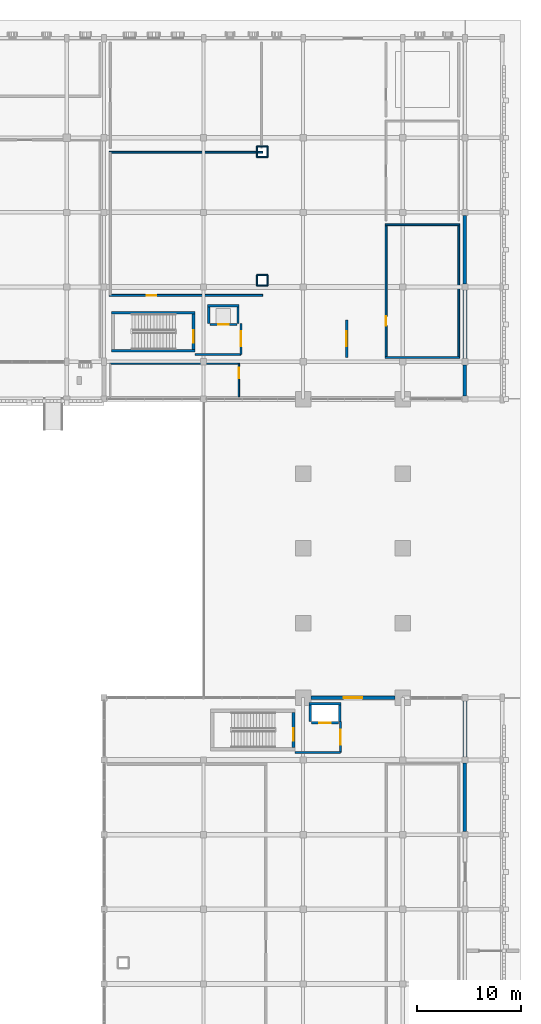
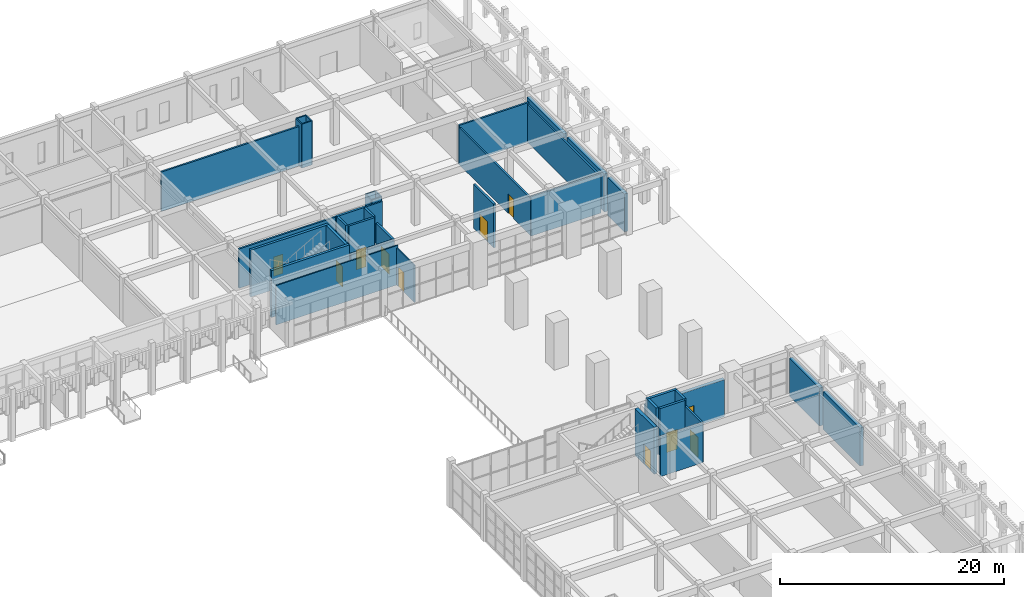
# One storey, part 43 of 72: 39 walls, 11 doors, 11 openings.
"""IFC4 building model written with IfcOpenShell, lengths in metres."""

from ifc_helpers import new_model, si_unit, direction, frame, frame_2d, origin, place, context, subcontext, project, spatial, rectangle, extrude, material, layer, layer_set, type_object, element, fill, save


model = new_model("IFC4")

# Units and contexts
model_context = context("Model", 3, precision=1e-05, world=origin(), true_north=direction((0.0, 1.0)))
body_context = subcontext(model_context, "Body", "Model", "MODEL_VIEW")
ifc_project = project(units=[si_unit("LENGTHUNIT", "METRE"), si_unit("AREAUNIT", "SQUARE_METRE"), si_unit("VOLUMEUNIT", "CUBIC_METRE"), si_unit("PLANEANGLEUNIT", "RADIAN"), si_unit("MASSUNIT", "GRAM", prefix="KILO")], contexts=[model_context])

# Site, building, storey
site_placement = place(None, origin())
site = spatial("IfcSite", under=ifc_project, at=site_placement, CompositionType="ELEMENT")
building_placement = place(site_placement, origin())
building = spatial("IfcBuilding", under=site, at=building_placement, Name="Nzembalo Square Collegiate School", CompositionType="ELEMENT")
storey_placement = place(building_placement, origin())
storey = spatial("IfcBuildingStorey", under=building, at=storey_placement, Name="L00", CompositionType="ELEMENT", Elevation=0.0)

# Wall, opening, door
ifc_material_1 = material(Name="Concrete C40/50", Category="concrete")
ifc_layer_1 = layer(ifc_material_1, 0.320068359375, Name="Concrete C40/50")
ifc_layer_set_1 = layer_set([ifc_layer_1], Name="Concrete C40/50")
wall_type_1 = type_object("IfcWallType", Name="SW01", PredefinedType="SHEAR", material=ifc_layer_set_1)
wall_1_placement = place(storey_placement, frame((149.06005859375, 45.60009765625, 0.0), z_axis=(0.0, 0.0, 1.0), x_axis=(0.0, 1.0, 0.0)))
wall_1 = element("IfcWall", 1, at=wall_1_placement, inside=storey, type_object=wall_type_1, Name="Core C5 stair shear wall E L00", PredefinedType="SHEAR", context=body_context, shape_type="SweptSolid", body=[
    extrude(rectangle(XDim=3.39990234375, YDim=0.320068359375, at=frame_2d((1.699951171875, 0.0))), origin(), (0.0, 0.0, 1.0), 5.10009765625),
])
opening_1_placement = place(wall_1_placement, frame((0.64990234375, 0.0, 0.0)))
opening_1 = element("IfcOpeningElement", 2, at=opening_1_placement, cuts=wall_1, Name="Opening FD-046", PredefinedType="OPENING", context=body_context, shape_type="SweptSolid", body=[
    extrude(rectangle(XDim=1.199951171875, YDim=2.199951171875, at=frame_2d((0.60009765625, 1.10009765625))), frame((0.0, 0.169921875, 0.0), z_axis=(0.0, -1.0, 0.0), x_axis=(1.0, 0.0, 0.0)), (0.0, 0.0, 1.0), 0.340087890625),
])
ifc_material_2 = material(Name="Fire-rated steel acoustic door", Category="steel")
door_type_1 = type_object("IfcDoorType", Name="FD01", OperationType="NOTDEFINED", PredefinedType="DOOR", material=ifc_material_2)
door_1_placement = place(opening_1_placement, frame((1.199951171875, 0.0, 0.0), z_axis=(0.0, 0.0, 1.0), x_axis=(-1.0, 0.0, 0.0)))
door_1 = element("IfcDoor", 3, at=door_1_placement, inside=storey, type_object=door_type_1, Name="Stair fire door FD-046", OperationType="SINGLE_SWING_RIGHT", OverallHeight=2.199951171875, OverallWidth=1.199951171875, PredefinedType="DOOR", context=body_context, shape_type="SweptSolid", body=[
    extrude(rectangle(XDim=1.199951171875, YDim=2.199951171875, at=frame_2d((0.60009765625, 1.10009765625))), frame((0.0, 0.02490234375, 0.0), z_axis=(0.0, -1.0, 0.0), x_axis=(1.0, 0.0, 0.0)), (0.0, 0.0, 1.0), 0.050048828125),
])
fill(opening_1, door_1)

# Walls
ifc_material_3 = material(Name="Concrete C35/45", Category="concrete")
ifc_layer_2 = layer(ifc_material_3, 0.260009765625, Name="Concrete C35/45")
ifc_layer_set_2 = layer_set([ifc_layer_2], Name="Concrete C35/45")
wall_type_2 = type_object("IfcWallType", Name="SW04", PredefinedType="SHEAR", material=ifc_layer_set_2)
for number, where, z_axis, x_axis, name in (
    (4, (131.5400390625, 83.8701171875, 0.0), (0.0, 0.0, 1.0), (1.0, 0.0, 0.0), "Core C4 stair shear wall S L00"),
    (5, (131.5400390625, 87.530029296875, 0.0), (0.0, 0.0, 1.0), (1.0, 0.0, 0.0), "Core C4 stair shear wall N L00"),
):
    element("IfcWall", number, at=place(storey_placement, frame(where, z_axis=z_axis, x_axis=x_axis)), inside=storey, type_object=wall_type_2, Name=name, PredefinedType="SHEAR", context=body_context, shape_type="SweptSolid", body=[
        extrude(rectangle(XDim=8.02001953125, YDim=0.260009765625, at=frame_2d((4.010009765625, 0.0))), origin(), (0.0, 0.0, 1.0), 5.10009765625),
    ])

# Wall, opening, door
wall_2_placement = place(storey_placement, frame((139.429931640625, 84.0, 0.0), z_axis=(0.0, 0.0, 1.0), x_axis=(0.0, 1.0, 0.0)))
wall_2 = element("IfcWall", 6, at=wall_2_placement, inside=storey, type_object=wall_type_2, Name="Core C4 stair shear wall E L00", PredefinedType="SHEAR", context=body_context, shape_type="SweptSolid", body=[
    extrude(rectangle(XDim=3.39990234375, YDim=0.260009765625, at=frame_2d((1.699951171875, 0.0))), origin(), (0.0, 0.0, 1.0), 5.10009765625),
])
opening_2_placement = place(wall_2_placement, frame((0.64990234375, 0.0, 0.0)))
opening_2 = element("IfcOpeningElement", 7, at=opening_2_placement, cuts=wall_2, Name="Opening FD-031", PredefinedType="OPENING", context=body_context, shape_type="SweptSolid", body=[
    extrude(rectangle(XDim=1.199951171875, YDim=2.199951171875, at=frame_2d((0.60009765625, 1.10009765625))), frame((0.0, 0.14013671875, 0.0), z_axis=(0.0, -1.0, 0.0), x_axis=(1.0, 0.0, 0.0)), (0.0, 0.0, 1.0), 0.280029296875),
])
door_2_placement = place(opening_2_placement, frame((1.199951171875, 0.0, 0.0), z_axis=(0.0, 0.0, 1.0), x_axis=(-1.0, 0.0, 0.0)))
door_2 = element("IfcDoor", 8, at=door_2_placement, inside=storey, type_object=door_type_1, Name="Stair fire door FD-031", OperationType="SINGLE_SWING_LEFT", OverallHeight=2.199951171875, OverallWidth=1.199951171875, PredefinedType="DOOR", context=body_context, shape_type="SweptSolid", body=[
    extrude(rectangle(XDim=1.199951171875, YDim=2.199951171875, at=frame_2d((0.60009765625, 1.10009765625))), frame((0.0, 0.02490234375, 0.0), z_axis=(0.0, -1.0, 0.0), x_axis=(1.0, 0.0, 0.0)), (0.0, 0.0, 1.0), 0.050048828125),
])
fill(opening_2, door_2)

# Walls
ifc_material_4 = material(Name="Concrete C35/45", Category="concrete")
ifc_layer_3 = layer(ifc_material_4, 0.25, Name="Concrete C35/45")
ifc_layer_set_3 = layer_set([ifc_layer_3], Name="Concrete C35/45")
wall_type_3 = type_object("IfcWallType", Name="SW05", PredefinedType="SHEAR", material=ifc_layer_set_3)
for number, where, z_axis, x_axis, name in (
    (9, (150.675048828125, 48.10009765625, 0.0), (0.0, 0.0, 1.0), (0.0, 1.0, 0.0), "Lift LF4 shaft wall W L00"),
    (10, (153.52490234375, 48.10009765625, 0.0), (0.0, 0.0, 1.0), (0.0, 1.0, 0.0), "Lift LF4 shaft wall E L00"),
):
    element("IfcWall", number, at=place(storey_placement, frame(where, z_axis=z_axis, x_axis=x_axis)), inside=storey, type_object=wall_type_3, Name=name, PredefinedType="SHEAR", context=body_context, shape_type="SweptSolid", body=[
        extrude(rectangle(XDim=1.599853515625, YDim=0.25, at=frame_2d((0.7998046875, 0.0))), origin(), (0.0, 0.0, 1.0), 5.10009765625),
    ])
wall_3_placement = place(storey_placement, frame((150.550048828125, 49.824951171875, 0.0), z_axis=(0.0, 0.0, 1.0), x_axis=(1.0, 0.0, 0.0)))
element("IfcWall", 11, at=wall_3_placement, inside=storey, type_object=wall_type_3, Name="Lift LF4 shaft wall N L00", PredefinedType="SHEAR", context=body_context, shape_type="SweptSolid", body=[
    extrude(rectangle(XDim=3.099853515625, YDim=0.25, at=frame_2d((1.5498046875, 0.0))), origin(), (0.0, 0.0, 1.0), 5.10009765625),
])

# Wall, opening, door
wall_4_placement = place(storey_placement, frame((150.800048828125, 47.97509765625, 0.0), z_axis=(0.0, 0.0, 1.0), x_axis=(1.0, 0.0, 0.0)))
wall_4 = element("IfcWall", 12, at=wall_4_placement, inside=storey, type_object=wall_type_3, Name="Lift LF4 landing front wall L00", PredefinedType="SHEAR", context=body_context, shape_type="SweptSolid", body=[
    extrude(rectangle(XDim=2.599853515625, YDim=0.25, at=frame_2d((1.2998046875, 0.0))), origin(), (0.0, 0.0, 1.0), 5.10009765625),
])
opening_3_placement = place(wall_4_placement, frame((0.75, 0.0, 0.0)))
opening_3 = element("IfcOpeningElement", 13, at=opening_3_placement, cuts=wall_4, Name="Opening LD-LF4-L00", PredefinedType="OPENING", context=body_context, shape_type="SweptSolid", body=[
    extrude(rectangle(XDim=1.10009765625, YDim=2.14990234375, at=frame_2d((0.550048828125, 1.074951171875))), frame((0.0, 0.135009765625, 0.0), z_axis=(0.0, -1.0, 0.0), x_axis=(1.0, 0.0, 0.0)), (0.0, 0.0, 1.0), 0.27001953125),
])
ifc_material_5 = material(Name="Stainless-steel sliding landing door", Category="steel")
door_type_2 = type_object("IfcDoorType", Name="LD01", OperationType="DOUBLE_DOOR_SLIDING", PredefinedType="DOOR", material=ifc_material_5)
door_3_placement = place(opening_3_placement, origin())
door_3 = element("IfcDoor", 14, at=door_3_placement, inside=storey, type_object=door_type_2, Name="Sliding lift landing door LD-LF4-L00", OperationType="DOUBLE_DOOR_SLIDING", OverallHeight=2.14990234375, OverallWidth=1.10009765625, PredefinedType="DOOR", context=body_context, shape_type="SweptSolid", body=[
    extrude(rectangle(XDim=1.10009765625, YDim=2.14990234375, at=frame_2d((0.550048828125, 1.074951171875))), frame((0.0, 0.02490234375, 0.0), z_axis=(0.0, -1.0, 0.0), x_axis=(1.0, 0.0, 0.0)), (0.0, 0.0, 1.0), 0.050048828125),
])
fill(opening_3, door_3)

# Walls
ifc_material_6 = material(Name="Concrete C35/45", Category="concrete")
ifc_layer_4 = layer(ifc_material_6, 0.219970703125, Name="Concrete C35/45")
ifc_layer_set_4 = layer_set([ifc_layer_4], Name="Concrete C35/45")
wall_type_4 = type_object("IfcWallType", Name="SW08", PredefinedType="SHEAR", material=ifc_layer_set_4)
for number, where, z_axis, x_axis, name in (
    (15, (140.889892578125, 86.5, 0.0), (0.0, 0.0, 1.0), (0.0, 1.0, 0.0), "Lift LF3 shaft wall W L00"),
    (16, (143.7099609375, 86.5, 0.0), (0.0, 0.0, 1.0), (0.0, 1.0, 0.0), "Lift LF3 shaft wall E L00"),
):
    element("IfcWall", number, at=place(storey_placement, frame(where, z_axis=z_axis, x_axis=x_axis)), inside=storey, type_object=wall_type_4, Name=name, PredefinedType="SHEAR", context=body_context, shape_type="SweptSolid", body=[
        extrude(rectangle(XDim=1.60009765625, YDim=0.219970703125, at=frame_2d((0.800048828125, 0.0))), origin(), (0.0, 0.0, 1.0), 5.10009765625),
    ])
wall_5_placement = place(storey_placement, frame((140.780029296875, 88.2099609375, 0.0), z_axis=(0.0, 0.0, 1.0), x_axis=(1.0, 0.0, 0.0)))
element("IfcWall", 17, at=wall_5_placement, inside=storey, type_object=wall_type_4, Name="Lift LF3 shaft wall N L00", PredefinedType="SHEAR", context=body_context, shape_type="SweptSolid", body=[
    extrude(rectangle(XDim=3.0400390625, YDim=0.219970703125, at=frame_2d((1.52001953125, 0.0))), origin(), (0.0, 0.0, 1.0), 5.10009765625),
])

# Wall, opening, door
wall_6_placement = place(storey_placement, frame((141.0, 86.389892578125, 0.0), z_axis=(0.0, 0.0, 1.0), x_axis=(1.0, 0.0, 0.0)))
wall_6 = element("IfcWall", 18, at=wall_6_placement, inside=storey, type_object=wall_type_4, Name="Lift LF3 landing front wall L00", PredefinedType="SHEAR", context=body_context, shape_type="SweptSolid", body=[
    extrude(rectangle(XDim=2.60009765625, YDim=0.219970703125, at=frame_2d((1.300048828125, 0.0))), origin(), (0.0, 0.0, 1.0), 5.10009765625),
])
opening_4_placement = place(wall_6_placement, frame((0.800048828125, 0.0, 0.0)))
opening_4 = element("IfcOpeningElement", 19, at=opening_4_placement, cuts=wall_6, Name="Opening LD-LF3-L00", PredefinedType="OPENING", context=body_context, shape_type="SweptSolid", body=[
    extrude(rectangle(XDim=1.0, YDim=2.14990234375, at=frame_2d((0.5, 1.074951171875))), frame((0.0, 0.1201171875, 0.0), z_axis=(0.0, -1.0, 0.0), x_axis=(1.0, 0.0, 0.0)), (0.0, 0.0, 1.0), 0.239990234375),
])
ifc_material_7 = material(Name="Stainless-steel sliding landing door", Category="steel")
door_type_3 = type_object("IfcDoorType", Name="LD02", OperationType="DOUBLE_DOOR_SLIDING", PredefinedType="DOOR", material=ifc_material_7)
door_4_placement = place(opening_4_placement, origin())
door_4 = element("IfcDoor", 20, at=door_4_placement, inside=storey, type_object=door_type_3, Name="Sliding lift landing door LD-LF3-L00", OperationType="DOUBLE_DOOR_SLIDING", OverallHeight=2.14990234375, OverallWidth=1.0, PredefinedType="DOOR", context=body_context, shape_type="SweptSolid", body=[
    extrude(rectangle(XDim=1.0, YDim=2.14990234375, at=frame_2d((0.5, 1.074951171875))), frame((0.0, 0.02490234375, 0.0), z_axis=(0.0, -1.0, 0.0), x_axis=(1.0, 0.0, 0.0)), (0.0, 0.0, 1.0), 0.050048828125),
])
fill(opening_4, door_4)

# Walls
ifc_material_8 = material(Name="Concrete C35/45", Category="concrete")
ifc_layer_5 = layer(ifc_material_8, 0.360107421875, Name="Concrete C35/45")
ifc_layer_set_5 = layer_set([ifc_layer_5], Name="Concrete C35/45")
wall_type_5 = type_object("IfcWallType", Name="W01", PredefinedType="SOLIDWALL", material=ifc_layer_set_5)
wall_7_placement = place(storey_placement, frame((165.60009765625, 44.701904296875, 0.0), z_axis=(0.0, 0.0, 1.0), x_axis=(0.0, 1.0, 0.0)))
element("IfcWall", 21, at=wall_7_placement, inside=storey, type_object=wall_type_5, Name="Exterior wall W01 L00", PredefinedType="SOLIDWALL", context=body_context, shape_type="SweptSolid", body=[
    extrude(rectangle(XDim=5.39599609375, YDim=0.360107421875, at=frame_2d((2.697998046875, 0.0))), origin(), (0.0, 0.0, 1.0), 4.134033203125),
])
wall_8_placement = place(storey_placement, frame((165.60009765625, 83.10205078125, 0.0), z_axis=(0.0, 0.0, 1.0), x_axis=(0.0, 1.0, 0.0)))
element("IfcWall", 22, at=wall_8_placement, inside=storey, type_object=wall_type_5, Name="Exterior wall W01 L00", PredefinedType="SOLIDWALL", context=body_context, shape_type="SweptSolid", body=[
    extrude(rectangle(XDim=6.595947265625, YDim=0.360107421875, at=frame_2d((3.2978515625, 0.0))), origin(), (0.0, 0.0, 1.0), 4.134033203125),
])
ifc_material_9 = material(Name="Concrete C35/45", Category="concrete")
ifc_layer_6 = layer(ifc_material_9, 0.340087890625, Name="Concrete C35/45")
ifc_layer_set_6 = layer_set([ifc_layer_6], Name="Concrete C35/45")
wall_type_6 = type_object("IfcWallType", Name="W02", PredefinedType="SOLIDWALL", material=ifc_layer_set_6)
wall_9_placement = place(storey_placement, frame((165.60009765625, 37.501953125, 0.0), z_axis=(0.0, 0.0, 1.0), x_axis=(0.0, 1.0, 0.0)))
element("IfcWall", 23, at=wall_9_placement, inside=storey, type_object=wall_type_6, Name="Exterior wall W02 L00", PredefinedType="SOLIDWALL", context=body_context, shape_type="SweptSolid", body=[
    extrude(rectangle(XDim=6.595947265625, YDim=0.340087890625, at=frame_2d((3.2978515625, 0.0))), origin(), (0.0, 0.0, 1.0), 4.134033203125),
])

# Wall, opening, door
wall_10_placement = place(storey_placement, frame((150.751953125, 50.39990234375, 0.0), z_axis=(0.0, 0.0, 1.0), x_axis=(1.0, 0.0, 0.0)))
wall_10 = element("IfcWall", 24, at=wall_10_placement, inside=storey, type_object=wall_type_6, Name="Exterior wall W02 L00", PredefinedType="SOLIDWALL", context=body_context, shape_type="SweptSolid", body=[
    extrude(rectangle(XDim=8.095947265625, YDim=0.340087890625, at=frame_2d((4.0478515625, 0.0))), origin(), (0.0, 0.0, 1.0), 4.033935546875),
])
opening_5_placement = place(wall_10_placement, frame((3.14794921875, 0.0, 0.0)))
opening_5 = element("IfcOpeningElement", 25, at=opening_5_placement, cuts=wall_10, Name="Opening E16", PredefinedType="OPENING", context=body_context, shape_type="SweptSolid", body=[
    extrude(rectangle(XDim=1.800048828125, YDim=2.300048828125, at=frame_2d((0.89990234375, 1.14990234375))), frame((0.0, 0.18017578125, 0.0), z_axis=(0.0, -1.0, 0.0), x_axis=(1.0, 0.0, 0.0)), (0.0, 0.0, 1.0), 0.360107421875),
])
ifc_material_10 = material(Name="Powder-coated steel and safety glass", Category="steel")
door_type_4 = type_object("IfcDoorType", Name="ED02", OperationType="DOUBLE_DOOR_SINGLE_SWING", PredefinedType="DOOR", material=ifc_material_10)
door_5_placement = place(opening_5_placement, origin())
door_5 = element("IfcDoor", 26, at=door_5_placement, inside=storey, type_object=door_type_4, Name="Exterior door E16", OperationType="DOUBLE_DOOR_SINGLE_SWING", OverallHeight=2.300048828125, OverallWidth=1.800048828125, PredefinedType="DOOR", context=body_context, shape_type="SweptSolid", body=[
    extrude(rectangle(XDim=1.800048828125, YDim=2.300048828125, at=frame_2d((0.89990234375, 1.14990234375))), frame((0.0, 0.02490234375, 0.0), z_axis=(0.0, -1.0, 0.0), x_axis=(1.0, 0.0, 0.0)), (0.0, 0.0, 1.0), 0.050048828125),
])
fill(opening_5, door_5)

# Walls
wall_11_placement = place(storey_placement, frame((165.60009765625, 79.501953125, 0.0), z_axis=(0.0, 0.0, 1.0), x_axis=(0.0, 1.0, 0.0)))
element("IfcWall", 27, at=wall_11_placement, inside=storey, type_object=wall_type_6, Name="Exterior wall W02 L00", PredefinedType="SOLIDWALL", context=body_context, shape_type="SweptSolid", body=[
    extrude(rectangle(XDim=2.99609375, YDim=0.340087890625, at=frame_2d((1.498046875, 0.0))), origin(), (0.0, 0.0, 1.0), 4.134033203125),
])
wall_12_placement = place(storey_placement, frame((165.60009765625, 90.302001953125, 0.0), z_axis=(0.0, 0.0, 1.0), x_axis=(0.0, 1.0, 0.0)))
element("IfcWall", 28, at=wall_12_placement, inside=storey, type_object=wall_type_6, Name="Exterior wall W02 L00", PredefinedType="SOLIDWALL", context=body_context, shape_type="SweptSolid", body=[
    extrude(rectangle(XDim=6.595947265625, YDim=0.340087890625, at=frame_2d((3.2978515625, 0.0))), origin(), (0.0, 0.0, 1.0), 4.134033203125),
])

# Wall, opening, door
ifc_material_11 = material(Name="Concrete blockwork C25/30", Category="masonry")
ifc_layer_7 = layer(ifc_material_11, 0.199951171875, Name="Concrete blockwork C25/30")
ifc_layer_set_7 = layer_set([ifc_layer_7], Name="Concrete blockwork C25/30")
wall_type_7 = type_object("IfcWallType", Name="W11", PredefinedType="PARTITIONING", material=ifc_layer_set_7)
wall_13_placement = place(storey_placement, frame((144.0, 83.5, 0.0), z_axis=(0.0, 0.0, 1.0), x_axis=(0.0, 1.0, 0.0)))
wall_13 = element("IfcWall", 29, at=wall_13_placement, inside=storey, type_object=wall_type_7, Name="Core C4 EI 60 lobby wall E L00", PredefinedType="PARTITIONING", context=body_context, shape_type="SweptSolid", body=[
    extrude(rectangle(XDim=3.0, YDim=0.199951171875, at=frame_2d((1.5, 0.0))), origin(), (0.0, 0.0, 1.0), 4.283935546875),
])
opening_6_placement = place(wall_13_placement, frame((0.77490234375, 0.0, 0.0)))
opening_6 = element("IfcOpeningElement", 30, at=opening_6_placement, cuts=wall_13, Name="Opening FD-032", PredefinedType="OPENING", context=body_context, shape_type="SweptSolid", body=[
    extrude(rectangle(XDim=1.449951171875, YDim=2.199951171875, at=frame_2d((0.72509765625, 1.10009765625))), frame((0.0, 0.10986328125, 0.0), z_axis=(0.0, -1.0, 0.0), x_axis=(1.0, 0.0, 0.0)), (0.0, 0.0, 1.0), 0.219970703125),
])
ifc_material_12 = material(Name="Fire-rated double lobby door")
door_type_5 = type_object("IfcDoorType", Name="FD02", OperationType="DOUBLE_DOOR_SINGLE_SWING", PredefinedType="DOOR", material=ifc_material_12)
door_6_placement = place(opening_6_placement, frame((1.449951171875, 0.0, 0.0), z_axis=(0.0, 0.0, 1.0), x_axis=(-1.0, 0.0, 0.0)))
door_6 = element("IfcDoor", 31, at=door_6_placement, inside=storey, type_object=door_type_5, Name="Protected lobby fire door FD-032", OperationType="DOUBLE_DOOR_SINGLE_SWING", OverallHeight=2.199951171875, OverallWidth=1.449951171875, PredefinedType="DOOR", context=body_context, shape_type="SweptSolid", body=[
    extrude(rectangle(XDim=1.449951171875, YDim=2.199951171875, at=frame_2d((0.72509765625, 1.10009765625))), frame((0.0, 0.02490234375, 0.0), z_axis=(0.0, -1.0, 0.0), x_axis=(1.0, 0.0, 0.0)), (0.0, 0.0, 1.0), 0.050048828125),
])
fill(opening_6, door_6)

# Wall
wall_14_placement = place(storey_placement, frame((139.56005859375, 83.5, 0.0), z_axis=(0.0, 0.0, 1.0), x_axis=(1.0, 0.0, 0.0)))
element("IfcWall", 32, at=wall_14_placement, inside=storey, type_object=wall_type_7, Name="Core C4 EI 60 lobby wall S L00", PredefinedType="PARTITIONING", context=body_context, shape_type="SweptSolid", body=[
    extrude(rectangle(XDim=4.43994140625, YDim=0.199951171875, at=frame_2d((2.219970703125, 0.0))), origin(), (0.0, 0.0, 1.0), 4.283935546875),
])

# Wall, opening, door
wall_15_placement = place(storey_placement, frame((154.199951171875, 83.199951171875, 0.0), z_axis=(0.0, 0.0, 1.0), x_axis=(0.0, 1.0, 0.0)))
wall_15 = element("IfcWall", 33, at=wall_15_placement, inside=storey, type_object=wall_type_7, Name="Core C4 protected exit corridor screen L00", PredefinedType="PARTITIONING", context=body_context, shape_type="SweptSolid", body=[
    extrude(rectangle(XDim=3.60009765625, YDim=0.199951171875, at=frame_2d((1.800048828125, 0.0))), origin(), (0.0, 0.0, 1.0), 4.77392578125),
])
opening_7_placement = place(wall_15_placement, frame((1.074951171875, 0.0, 0.0)))
opening_7 = element("IfcOpeningElement", 34, at=opening_7_placement, cuts=wall_15, Name="Opening FD-033", PredefinedType="OPENING", context=body_context, shape_type="SweptSolid", body=[
    extrude(rectangle(XDim=1.449951171875, YDim=2.199951171875, at=frame_2d((0.72509765625, 1.10009765625))), frame((0.0, 0.10986328125, 0.0), z_axis=(0.0, -1.0, 0.0), x_axis=(1.0, 0.0, 0.0)), (0.0, 0.0, 1.0), 0.219970703125),
])
door_7_placement = place(opening_7_placement, frame((1.449951171875, 0.0, 0.0), z_axis=(0.0, 0.0, 1.0), x_axis=(-1.0, 0.0, 0.0)))
door_7 = element("IfcDoor", 35, at=door_7_placement, inside=storey, type_object=door_type_5, Name="Protected exit corridor fire door FD-033", OperationType="DOUBLE_DOOR_SINGLE_SWING", OverallHeight=2.199951171875, OverallWidth=1.449951171875, PredefinedType="DOOR", context=body_context, shape_type="SweptSolid", body=[
    extrude(rectangle(XDim=1.449951171875, YDim=2.199951171875, at=frame_2d((0.72509765625, 1.10009765625))), frame((0.0, 0.02490234375, 0.0), z_axis=(0.0, -1.0, 0.0), x_axis=(1.0, 0.0, 0.0)), (0.0, 0.0, 1.0), 0.050048828125),
])
fill(opening_7, door_7)

wall_16_placement = place(storey_placement, frame((153.60009765625, 45.10009765625, 0.0), z_axis=(0.0, 0.0, 1.0), x_axis=(0.0, 1.0, 0.0)))
wall_16 = element("IfcWall", 36, at=wall_16_placement, inside=storey, type_object=wall_type_7, Name="Core C5 EI 60 lobby wall E L00", PredefinedType="PARTITIONING", context=body_context, shape_type="SweptSolid", body=[
    extrude(rectangle(XDim=3.0, YDim=0.199951171875, at=frame_2d((1.5, 0.0))), origin(), (0.0, 0.0, 1.0), 4.283935546875),
])
opening_8_placement = place(wall_16_placement, frame((0.77490234375, 0.0, 0.0)))
opening_8 = element("IfcOpeningElement", 37, at=opening_8_placement, cuts=wall_16, Name="Opening FD-047", PredefinedType="OPENING", context=body_context, shape_type="SweptSolid", body=[
    extrude(rectangle(XDim=1.449951171875, YDim=2.199951171875, at=frame_2d((0.72509765625, 1.10009765625))), frame((0.0, 0.10986328125, 0.0), z_axis=(0.0, -1.0, 0.0), x_axis=(1.0, 0.0, 0.0)), (0.0, 0.0, 1.0), 0.219970703125),
])
door_8_placement = place(opening_8_placement, frame((1.449951171875, 0.0, 0.0), z_axis=(0.0, 0.0, 1.0), x_axis=(-1.0, 0.0, 0.0)))
door_8 = element("IfcDoor", 38, at=door_8_placement, inside=storey, type_object=door_type_5, Name="Protected lobby fire door FD-047", OperationType="DOUBLE_DOOR_SINGLE_SWING", OverallHeight=2.199951171875, OverallWidth=1.449951171875, PredefinedType="DOOR", context=body_context, shape_type="SweptSolid", body=[
    extrude(rectangle(XDim=1.449951171875, YDim=2.199951171875, at=frame_2d((0.72509765625, 1.10009765625))), frame((0.0, 0.02490234375, 0.0), z_axis=(0.0, -1.0, 0.0), x_axis=(1.0, 0.0, 0.0)), (0.0, 0.0, 1.0), 0.050048828125),
])
fill(opening_8, door_8)

# Walls
wall_17_placement = place(storey_placement, frame((149.219970703125, 45.10009765625, 0.0), z_axis=(0.0, 0.0, 1.0), x_axis=(1.0, 0.0, 0.0)))
element("IfcWall", 39, at=wall_17_placement, inside=storey, type_object=wall_type_7, Name="Core C5 EI 60 lobby wall S L00", PredefinedType="PARTITIONING", context=body_context, shape_type="SweptSolid", body=[
    extrude(rectangle(XDim=4.380126953125, YDim=0.199951171875, at=frame_2d((2.18994140625, 0.0))), origin(), (0.0, 0.0, 1.0), 4.283935546875),
])
ifc_material_13 = material(Name="Acoustic gypsum and steel stud", Category="steel")
ifc_layer_8 = layer(ifc_material_13, 0.175048828125, Name="Acoustic gypsum and steel stud")
ifc_layer_set_8 = layer_set([ifc_layer_8], Name="Acoustic gypsum and steel stud")
wall_type_8 = type_object("IfcWallType", Name="W14", PredefinedType="PARTITIONING", material=ifc_layer_set_8)
for number, where, z_axis, x_axis, name in (
    (40, (157.91259765625, 83.199951171875, 0.0), (0.0, 0.0, 1.0), (1.0, 0.0, 0.0), "Interior partition W14 L00-049-S"),
    (41, (157.91259765625, 96.0, 0.0), (0.0, 0.0, 1.0), (1.0, 0.0, 0.0), "Interior partition W14 L00-049-N"),
):
    element("IfcWall", number, at=place(storey_placement, frame(where, z_axis=z_axis, x_axis=x_axis)), inside=storey, type_object=wall_type_8, Name=name, PredefinedType="PARTITIONING", context=body_context, shape_type="SweptSolid", body=[
        extrude(rectangle(XDim=7.1748046875, YDim=0.175048828125, at=frame_2d((3.58740234375, 0.0))), origin(), (0.0, 0.0, 1.0), 4.283935546875),
    ])

# Wall, opening, door
wall_18_placement = place(storey_placement, frame((158.0, 83.199951171875, 0.0), z_axis=(0.0, 0.0, 1.0), x_axis=(0.0, 1.0, 0.0)))
wall_18 = element("IfcWall", 42, at=wall_18_placement, inside=storey, type_object=wall_type_8, Name="Interior partition W14 L00-049-W", PredefinedType="PARTITIONING", context=body_context, shape_type="SweptSolid", body=[
    extrude(rectangle(XDim=12.800048828125, YDim=0.175048828125, at=frame_2d((6.39990234375, 0.0))), origin(), (0.0, 0.0, 1.0), 4.033935546875),
])
opening_9_placement = place(wall_18_placement, frame((3.06494140625, 0.0, 0.0)))
opening_9 = element("IfcOpeningElement", 43, at=opening_9_placement, cuts=wall_18, Name="Opening D-L00-027", PredefinedType="OPENING", context=body_context, shape_type="SweptSolid", body=[
    extrude(rectangle(XDim=0.93994140625, YDim=2.10009765625, at=frame_2d((0.469970703125, 1.050048828125))), frame((0.0, 0.09765625, 0.0), z_axis=(0.0, -1.0, 0.0), x_axis=(1.0, 0.0, 0.0)), (0.0, 0.0, 1.0), 0.195068359375),
])
ifc_material_14 = material(Name="Hardwood office door", Category="wood")
door_type_6 = type_object("IfcDoorType", Name="D07", OperationType="NOTDEFINED", PredefinedType="DOOR", material=ifc_material_14)
door_9_placement = place(opening_9_placement, origin())
door_9 = element("IfcDoor", 44, at=door_9_placement, inside=storey, type_object=door_type_6, Name="Interior door D-L00-027 (Principal and Admissions Suite)", OperationType="SINGLE_SWING_RIGHT", OverallHeight=2.10009765625, OverallWidth=0.93994140625, PredefinedType="DOOR", context=body_context, shape_type="SweptSolid", body=[
    extrude(rectangle(XDim=0.93994140625, YDim=2.10009765625, at=frame_2d((0.469970703125, 1.050048828125))), frame((0.0, 0.02490234375, 0.0), z_axis=(0.0, -1.0, 0.0), x_axis=(1.0, 0.0, 0.0)), (0.0, 0.0, 1.0), 0.050048828125),
])
fill(opening_9, door_9)

# Wall
wall_19_placement = place(storey_placement, frame((165.0, 83.199951171875, 0.0), z_axis=(0.0, 0.0, 1.0), x_axis=(0.0, 1.0, 0.0)))
element("IfcWall", 45, at=wall_19_placement, inside=storey, type_object=wall_type_8, Name="Interior partition W14 L00-049-E", PredefinedType="PARTITIONING", context=body_context, shape_type="SweptSolid", body=[
    extrude(rectangle(XDim=12.800048828125, YDim=0.175048828125, at=frame_2d((6.39990234375, 0.0))), origin(), (0.0, 0.0, 1.0), 4.134033203125),
])

# Wall, opening, door
wall_20_placement = place(storey_placement, frame((131.3125, 89.199951171875, 0.0), z_axis=(0.0, 0.0, 1.0), x_axis=(1.0, 0.0, 0.0)))
wall_20 = element("IfcWall", 46, at=wall_20_placement, inside=storey, type_object=wall_type_8, Name="Interior partition W14 L00-052-S", PredefinedType="PARTITIONING", context=body_context, shape_type="SweptSolid", body=[
    extrude(rectangle(XDim=14.77490234375, YDim=0.175048828125, at=frame_2d((7.387451171875, 0.0))), origin(), (0.0, 0.0, 1.0), 4.283935546875),
])
opening_10_placement = place(wall_20_placement, frame((3.6025390625, 0.0, 0.0)))
opening_10 = element("IfcOpeningElement", 47, at=opening_10_placement, cuts=wall_20, Name="Opening D-L00-030", PredefinedType="OPENING", context=body_context, shape_type="SweptSolid", body=[
    extrude(rectangle(XDim=0.93994140625, YDim=2.10009765625, at=frame_2d((0.469970703125, 1.050048828125))), frame((0.0, 0.09765625, 0.0), z_axis=(0.0, -1.0, 0.0), x_axis=(1.0, 0.0, 0.0)), (0.0, 0.0, 1.0), 0.195068359375),
])
door_10_placement = place(opening_10_placement, origin())
door_10 = element("IfcDoor", 48, at=door_10_placement, inside=storey, type_object=door_type_6, Name="Interior door D-L00-030 (Faculty Registry and Bursar Office)", OperationType="SINGLE_SWING_LEFT", OverallHeight=2.10009765625, OverallWidth=0.93994140625, PredefinedType="DOOR", context=body_context, shape_type="SweptSolid", body=[
    extrude(rectangle(XDim=0.93994140625, YDim=2.10009765625, at=frame_2d((0.469970703125, 1.050048828125))), frame((0.0, 0.02490234375, 0.0), z_axis=(0.0, -1.0, 0.0), x_axis=(1.0, 0.0, 0.0)), (0.0, 0.0, 1.0), 0.050048828125),
])
fill(opening_10, door_10)

# Walls
wall_21_placement = place(storey_placement, frame((131.3125, 103.0, 0.0), z_axis=(0.0, 0.0, 1.0), x_axis=(1.0, 0.0, 0.0)))
element("IfcWall", 49, at=wall_21_placement, inside=storey, type_object=wall_type_8, Name="Interior partition W14 L00-052-N", PredefinedType="PARTITIONING", context=body_context, shape_type="SweptSolid", body=[
    extrude(rectangle(XDim=14.77490234375, YDim=0.175048828125, at=frame_2d((7.387451171875, 0.0))), origin(), (0.0, 0.0, 1.0), 4.283935546875),
])
ifc_material_15 = material(Name="Cement-board wet-room partition")
ifc_layer_9 = layer(ifc_material_15, 0.135009765625, Name="Cement-board wet-room partition")
ifc_layer_set_9 = layer_set([ifc_layer_9], Name="Cement-board wet-room partition")
wall_type_9 = type_object("IfcWallType", Name="W19", PredefinedType="PARTITIONING", material=ifc_layer_set_9)
wall_22_placement = place(storey_placement, frame((131.33251953125, 82.60009765625, 0.0), z_axis=(0.0, 0.0, 1.0), x_axis=(1.0, 0.0, 0.0)))
element("IfcWall", 50, at=wall_22_placement, inside=storey, type_object=wall_type_9, Name="Interior partition W19 L00-054-N", PredefinedType="PARTITIONING", context=body_context, shape_type="SweptSolid", body=[
    extrude(rectangle(XDim=12.534912109375, YDim=0.135009765625, at=frame_2d((6.267578125, 0.0))), origin(), (0.0, 0.0, 1.0), 4.283935546875),
])

# Wall, opening, door
wall_23_placement = place(storey_placement, frame((143.800048828125, 79.39990234375, 0.0), z_axis=(0.0, 0.0, 1.0), x_axis=(0.0, 1.0, 0.0)))
wall_23 = element("IfcWall", 51, at=wall_23_placement, inside=storey, type_object=wall_type_9, Name="Interior partition W19 L00-054-E", PredefinedType="PARTITIONING", context=body_context, shape_type="SweptSolid", body=[
    extrude(rectangle(XDim=3.2001953125, YDim=0.135009765625, at=frame_2d((1.60009765625, 0.0))), origin(), (0.0, 0.0, 1.0), 4.033935546875),
])
opening_11_placement = place(wall_23_placement, frame((1.783935546875, 0.0, 0.0)))
opening_11 = element("IfcOpeningElement", 52, at=opening_11_placement, cuts=wall_23, Name="Opening D-L00-032", PredefinedType="OPENING", context=body_context, shape_type="SweptSolid", body=[
    extrude(rectangle(XDim=1.0400390625, YDim=2.1201171875, at=frame_2d((0.52001953125, 1.06005859375))), frame((0.0, 0.07763671875, 0.0), z_axis=(0.0, -1.0, 0.0), x_axis=(1.0, 0.0, 0.0)), (0.0, 0.0, 1.0), 0.155029296875),
])
ifc_material_16 = material(Name="Accessible outward-swing WC door")
door_type_7 = type_object("IfcDoorType", Name="D09", OperationType="NOTDEFINED", PredefinedType="DOOR", material=ifc_material_16)
door_11_placement = place(opening_11_placement, origin())
door_11 = element("IfcDoor", 53, at=door_11_placement, inside=storey, type_object=door_type_7, Name="Interior door D-L00-032 (East Ground Boys', Girls' and Accessible WCs)", OperationType="SINGLE_SWING_LEFT", OverallHeight=2.1201171875, OverallWidth=1.0400390625, PredefinedType="DOOR", context=body_context, shape_type="SweptSolid", body=[
    extrude(rectangle(XDim=1.0400390625, YDim=2.1201171875, at=frame_2d((0.52001953125, 1.06005859375))), frame((0.0, 0.02490234375, 0.0), z_axis=(0.0, -1.0, 0.0), x_axis=(1.0, 0.0, 0.0)), (0.0, 0.0, 1.0), 0.050048828125),
])
fill(opening_11, door_11)

# Walls
ifc_material_17 = material(Name="Fire-rated shaftwall stud")
ifc_layer_10 = layer(ifc_material_17, 0.1201171875, Name="Fire-rated shaftwall stud")
ifc_layer_set_10 = layer_set([ifc_layer_10], Name="Fire-rated shaftwall stud")
wall_type_10 = type_object("IfcWallType", Name="W23", PredefinedType="PARTITIONING", material=ifc_layer_set_10)
for number, where, z_axis, x_axis, name in (
    (54, (145.5400390625, 90.139892578125, 0.0), (0.0, 0.0, 1.0), (1.0, 0.0, 0.0), "Service riser shaftwall W23-006-1"),
    (55, (146.56005859375, 90.139892578125, 0.0), (0.0, 0.0, 1.0), (0.0, 1.0, 0.0), "Service riser shaftwall W23-006-2"),
    (56, (146.56005859375, 91.159912109375, 0.0), (0.0, 0.0, 1.0), (-1.0, 0.0, 0.0), "Service riser shaftwall W23-006-3"),
    (57, (145.5400390625, 91.159912109375, 0.0), (0.0, 0.0, 1.0), (0.0, -1.0, 0.0), "Service riser shaftwall W23-006-4"),
):
    element("IfcWall", number, at=place(storey_placement, frame(where, z_axis=z_axis, x_axis=x_axis)), inside=storey, type_object=wall_type_10, Name=name, PredefinedType="PARTITIONING", context=body_context, shape_type="SweptSolid", body=[
        extrude(rectangle(XDim=1.02001953125, YDim=0.1201171875, at=frame_2d((0.510009765625, 0.0))), origin(), (0.0, 0.0, 1.0), 4.033935546875),
    ])
for number, where, z_axis, x_axis, name in (
    (58, (145.5400390625, 102.5400390625, 0.0), (0.0, 0.0, 1.0), (1.0, 0.0, 0.0), "Service riser shaftwall W23-007-1"),
    (59, (146.56005859375, 102.5400390625, 0.0), (0.0, 0.0, 1.0), (0.0, 1.0, 0.0), "Service riser shaftwall W23-007-2"),
    (60, (146.56005859375, 103.56005859375, 0.0), (0.0, 0.0, 1.0), (-1.0, 0.0, 0.0), "Service riser shaftwall W23-007-3"),
    (61, (145.5400390625, 103.56005859375, 0.0), (0.0, 0.0, 1.0), (0.0, -1.0, 0.0), "Service riser shaftwall W23-007-4"),
):
    element("IfcWall", number, at=place(storey_placement, frame(where, z_axis=z_axis, x_axis=x_axis)), inside=storey, type_object=wall_type_10, Name=name, PredefinedType="PARTITIONING", context=body_context, shape_type="SweptSolid", body=[
        extrude(rectangle(XDim=1.02001953125, YDim=0.1201171875, at=frame_2d((0.510009765625, 0.0))), origin(), (0.0, 0.0, 1.0), 4.77392578125),
    ])

save(model, "model.ifc")
